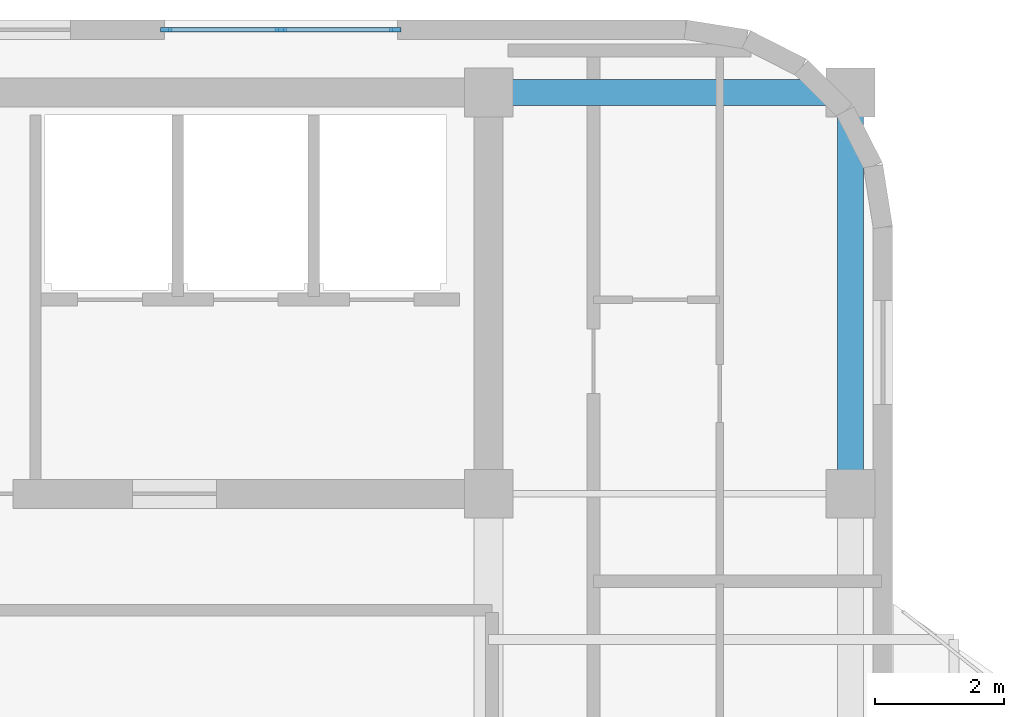
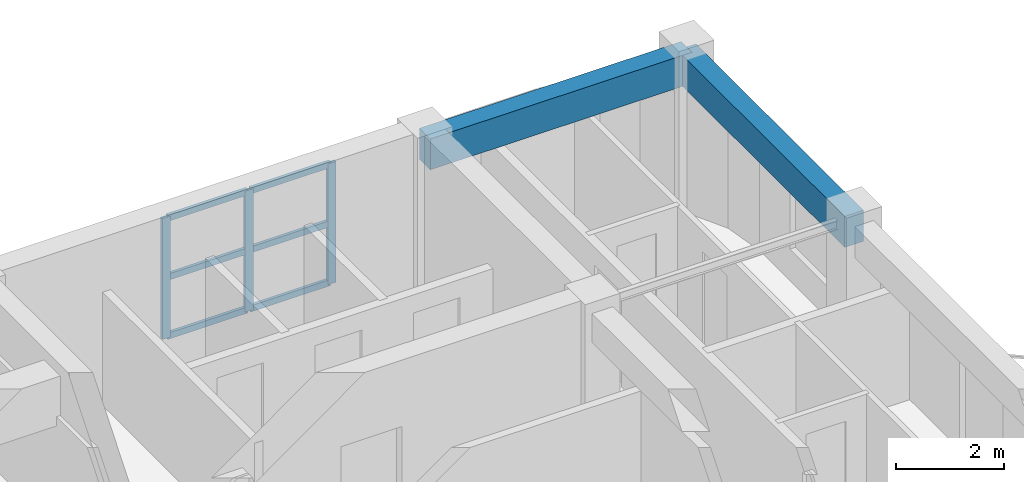
# One storey, part 4 of 11: 9 members, 2 beams, 1 element without a shape of its own.
"""IFC4 building model written with IfcOpenShell, lengths in metres."""

from ifc_helpers import new_model, si_unit, direction, frame, origin, origin_2d, place, context, subcontext, project, spatial, rectangle, extrude, material, material_profile, profile_set, type_object, element, aggregate, save


model = new_model("IFC4")

# Units and contexts
model_context = context("Model", 3, precision=1e-05, world=origin(), true_north=direction((0.0, 1.0)))
body_context = subcontext(model_context, "Body", "Model", "MODEL_VIEW")
ifc_project = project(units=[si_unit("LENGTHUNIT", "METRE"), si_unit("AREAUNIT", "SQUARE_METRE"), si_unit("VOLUMEUNIT", "CUBIC_METRE"), si_unit("PLANEANGLEUNIT", "RADIAN"), si_unit("MASSUNIT", "GRAM", prefix="KILO")], contexts=[model_context])

# Site, building, storey
site_placement = place(None, origin())
site = spatial("IfcSite", under=ifc_project, at=site_placement, CompositionType="ELEMENT")
building_placement = place(site_placement, origin())
building = spatial("IfcBuilding", under=site, at=building_placement, Name="Svetorya Sky Lyceum", CompositionType="ELEMENT")
storey_placement = place(building_placement, frame((0.0, 0.0, 275.0)))
storey = spatial("IfcBuildingStorey", under=building, at=storey_placement, Name="L69", CompositionType="ELEMENT", Elevation=275.0)

# Beams
ifc_material_1 = material(Name="Concrete C50/60", Category="concrete")
ifc_material_profile_1 = material_profile(ifc_material_1, rectangle(XDim=0.39990234375, YDim=0.699951171875, at=origin_2d()), Name="RC SPANDREL 400x700")
ifc_profile_set_1 = profile_set([ifc_material_profile_1], Name="Concrete C50/60")
beam_type = type_object("IfcBeamType", Name="BM-SPN-700", PredefinedType="SPANDREL", material=ifc_profile_set_1)
beam_1_placement = place(storey_placement, frame((52.800048828125, 45.800048828125, 3.10009765625), z_axis=(1.0, 0.0, 0.0), x_axis=(0.0, 1.0, 0.0)))
element("IfcBeam", 1, at=beam_1_placement, inside=storey, type_object=beam_type, Name="L69 Tie Spandrel NE", PredefinedType="SPANDREL", context=body_context, shape_type="SweptSolid", body=[
    extrude(rectangle(XDim=0.39990234375, YDim=0.699951171875, at=origin_2d()), origin(), (0.0, 0.0, 1.0), 5.58984375),
])
beam_2_placement = place(storey_placement, frame((58.389892578125, 39.60009765625, 3.10009765625), z_axis=(0.0, 1.0, 0.0), x_axis=(-1.0, 0.0, 0.0)))
element("IfcBeam", 2, at=beam_2_placement, inside=storey, type_object=beam_type, Name="L69 East Spandrel 4", PredefinedType="SPANDREL", context=body_context, shape_type="SweptSolid", body=[
    extrude(rectangle(XDim=0.39990234375, YDim=0.699951171875, at=origin_2d()), origin(), (0.0, 0.0, 1.0), 6.199951171875),
])

# Curtain wall, members
ifc_material_2 = material(Name="Thermally broken anodized aluminium and triple low-E glass", Category="aluminium")
curtain_wall_type = type_object("IfcCurtainWallType", Name="CW3-LOG-RES", PredefinedType="NOTDEFINED", material=ifc_material_2)
curtain_wall_placement = place(storey_placement, origin())
curtain_wall = element("IfcCurtainWall", 3, at=curtain_wall_placement, inside=storey, type_object=curtain_wall_type, Name="L69 Recessed Loggia Curtain Wall 24", PredefinedType="NOTDEFINED")
ifc_material_3 = material(Name="Thermally broken anodized aluminium EN AW-6060", Category="aluminium")
ifc_material_profile_2 = material_profile(ifc_material_3, rectangle(XDim=0.06494140625, YDim=0.179931640625, at=origin_2d()), Name="ALU MULLION 65x180")
ifc_profile_set_2 = profile_set([ifc_material_profile_2], Name="Thermally broken anodized aluminium EN AW-6060")
member_type_1 = type_object("IfcMemberType", Name="CWM-MUL-180", PredefinedType="MULLION", material=ifc_profile_set_2)
member_1_placement = place(storey_placement, frame((51.357421875, 46.77001953125, 0.0), z_axis=(0.0, 0.0, 1.0), x_axis=(0.0, -1.0, 0.0)))
member_1 = element("IfcMember", 4, at=member_1_placement, type_object=member_type_1, Name="CW-3 mullion 1", PredefinedType="MULLION", context=body_context, shape_type="SweptSolid", body=[
    extrude(rectangle(XDim=0.06494140625, YDim=0.179931640625, at=origin_2d()), origin(), (0.0, 0.0, 1.0), 2.72998046875),
])
member_2_placement = place(storey_placement, frame((49.590087890625, 46.77001953125, 0.0), z_axis=(0.0, 0.0, 1.0), x_axis=(0.0, -1.0, 0.0)))
member_2 = element("IfcMember", 5, at=member_2_placement, type_object=member_type_1, Name="CW-3 mullion 2", PredefinedType="MULLION", context=body_context, shape_type="SweptSolid", body=[
    extrude(rectangle(XDim=0.06494140625, YDim=0.179931640625, at=origin_2d()), origin(), (0.0, 0.0, 1.0), 2.72998046875),
])
member_3_placement = place(storey_placement, frame((47.822509765625, 46.77001953125, 0.0), z_axis=(0.0, 0.0, 1.0), x_axis=(0.0, -1.0, 0.0)))
member_3 = element("IfcMember", 6, at=member_3_placement, type_object=member_type_1, Name="CW-3 mullion 3", PredefinedType="MULLION", context=body_context, shape_type="SweptSolid", body=[
    extrude(rectangle(XDim=0.06494140625, YDim=0.179931640625, at=origin_2d()), origin(), (0.0, 0.0, 1.0), 2.72998046875),
])
ifc_material_profile_3 = material_profile(ifc_material_3, rectangle(XDim=0.06494140625, YDim=0.139892578125, at=origin_2d()), Name="ALU TRANSOM 65x140")
ifc_profile_set_3 = profile_set([ifc_material_profile_3], Name="Thermally broken anodized aluminium EN AW-6060")
member_type_2 = type_object("IfcMemberType", Name="CWM-TRN-140", PredefinedType="USERDEFINED", material=ifc_profile_set_3)
member_4_placement = place(storey_placement, frame((51.326416015625, 46.77001953125, 0.032470703125), z_axis=(-1.0, 0.0, 0.0), x_axis=(0.0, -1.0, 0.0)))
member_4 = element("IfcMember", 7, at=member_4_placement, type_object=member_type_2, Name="CW-3 transom 1.1", ObjectType="TRANSOM", PredefinedType="USERDEFINED", context=body_context, shape_type="SweptSolid", body=[
    extrude(rectangle(XDim=0.06494140625, YDim=0.139892578125, at=origin_2d()), origin(), (0.0, 0.0, 1.0), 1.705322265625),
])
member_5_placement = place(storey_placement, frame((51.326416015625, 46.77001953125, 1.364990234375), z_axis=(-1.0, 0.0, 0.0), x_axis=(0.0, -1.0, 0.0)))
member_5 = element("IfcMember", 8, at=member_5_placement, type_object=member_type_2, Name="CW-3 transom 1.2", ObjectType="TRANSOM", PredefinedType="USERDEFINED", context=body_context, shape_type="SweptSolid", body=[
    extrude(rectangle(XDim=0.06494140625, YDim=0.139892578125, at=origin_2d()), origin(), (0.0, 0.0, 1.0), 1.705322265625),
])
member_6_placement = place(storey_placement, frame((51.326416015625, 46.77001953125, 2.697509765625), z_axis=(-1.0, 0.0, 0.0), x_axis=(0.0, -1.0, 0.0)))
member_6 = element("IfcMember", 9, at=member_6_placement, type_object=member_type_2, Name="CW-3 transom 1.3", ObjectType="TRANSOM", PredefinedType="USERDEFINED", context=body_context, shape_type="SweptSolid", body=[
    extrude(rectangle(XDim=0.06494140625, YDim=0.139892578125, at=origin_2d()), origin(), (0.0, 0.0, 1.0), 1.705322265625),
])
member_7_placement = place(storey_placement, frame((49.55908203125, 46.77001953125, 0.032470703125), z_axis=(-1.0, 0.0, 0.0), x_axis=(0.0, -1.0, 0.0)))
member_7 = element("IfcMember", 10, at=member_7_placement, type_object=member_type_2, Name="CW-3 transom 2.1", ObjectType="TRANSOM", PredefinedType="USERDEFINED", context=body_context, shape_type="SweptSolid", body=[
    extrude(rectangle(XDim=0.06494140625, YDim=0.139892578125, at=origin_2d()), origin(), (0.0, 0.0, 1.0), 1.70556640625),
])
member_8_placement = place(storey_placement, frame((49.55908203125, 46.77001953125, 1.364990234375), z_axis=(-1.0, 0.0, 0.0), x_axis=(0.0, -1.0, 0.0)))
member_8 = element("IfcMember", 11, at=member_8_placement, type_object=member_type_2, Name="CW-3 transom 2.2", ObjectType="TRANSOM", PredefinedType="USERDEFINED", context=body_context, shape_type="SweptSolid", body=[
    extrude(rectangle(XDim=0.06494140625, YDim=0.139892578125, at=origin_2d()), origin(), (0.0, 0.0, 1.0), 1.70556640625),
])
member_9_placement = place(storey_placement, frame((49.55908203125, 46.77001953125, 2.697509765625), z_axis=(-1.0, 0.0, 0.0), x_axis=(0.0, -1.0, 0.0)))
member_9 = element("IfcMember", 12, at=member_9_placement, type_object=member_type_2, Name="CW-3 transom 2.3", ObjectType="TRANSOM", PredefinedType="USERDEFINED", context=body_context, shape_type="SweptSolid", body=[
    extrude(rectangle(XDim=0.06494140625, YDim=0.139892578125, at=origin_2d()), origin(), (0.0, 0.0, 1.0), 1.70556640625),
])
aggregate(curtain_wall, [member_1, member_2, member_3, member_4, member_5, member_6, member_7, member_8, member_9])

save(model, "model.ifc")
